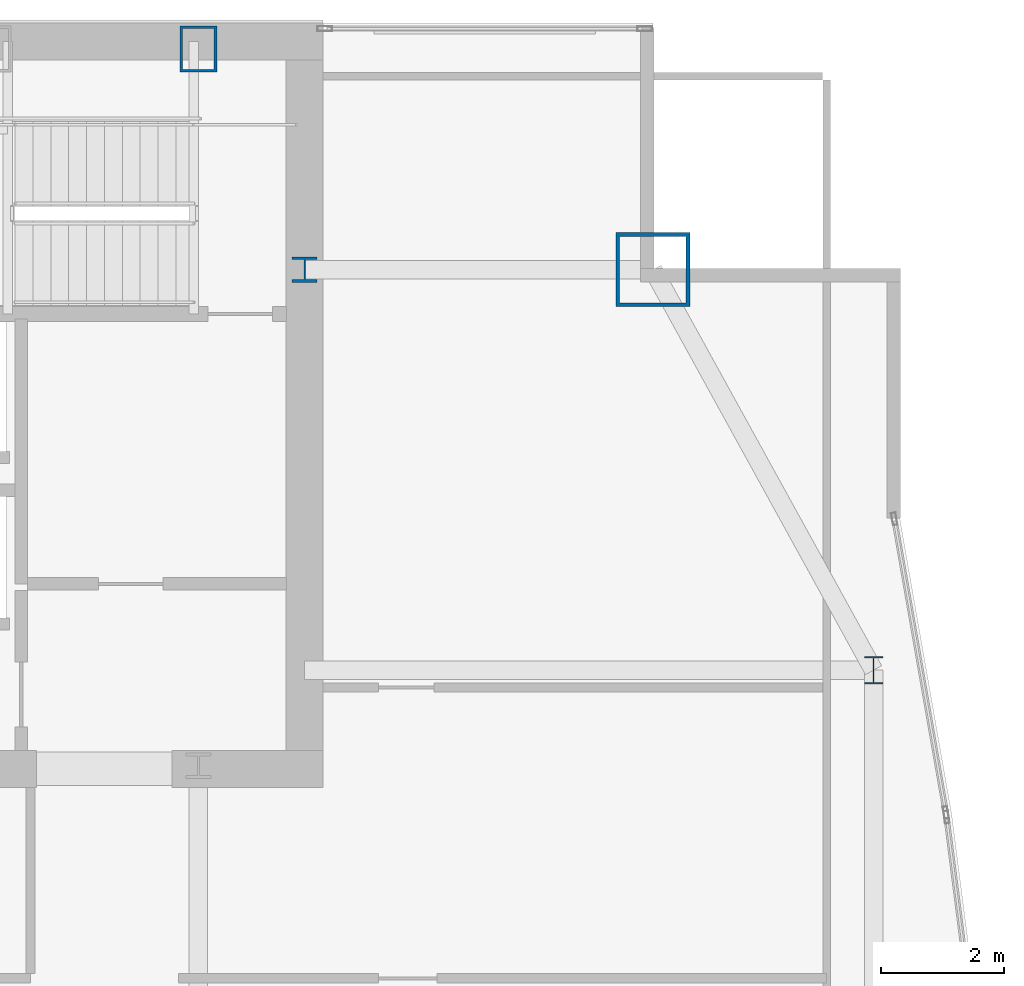
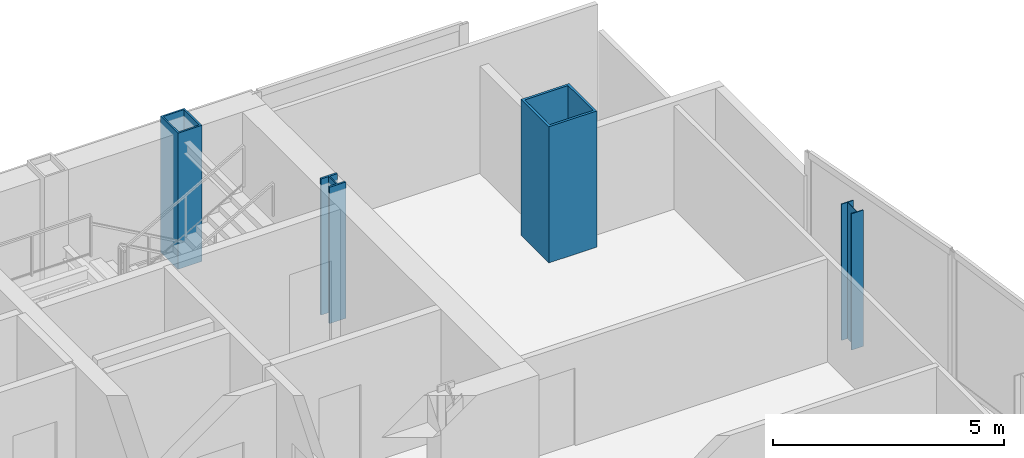
# One storey, part 4 of 30: 4 columns.
"""IFC4 building model written with IfcOpenShell, lengths in metres."""

from ifc_helpers import new_model, si_unit, direction, frame, origin, origin_2d, place, context, subcontext, project, spatial, hollow_rectangle, i_section, extrude, material, material_profile, profile_set, type_object, element, save


model = new_model("IFC4")

# Units and contexts
model_context = context("Model", 3, precision=1e-05, world=origin(), true_north=direction((0.0, 1.0)))
body_context = subcontext(model_context, "Body", "Model", "MODEL_VIEW")
ifc_project = project(units=[si_unit("LENGTHUNIT", "METRE"), si_unit("AREAUNIT", "SQUARE_METRE"), si_unit("VOLUMEUNIT", "CUBIC_METRE"), si_unit("PLANEANGLEUNIT", "RADIAN"), si_unit("MASSUNIT", "GRAM", prefix="KILO")], contexts=[model_context])

# Site, building, storey
site_placement = place(None, origin())
site = spatial("IfcSite", under=ifc_project, at=site_placement, CompositionType="ELEMENT")
building_placement = place(site_placement, origin())
building = spatial("IfcBuilding", under=site, at=building_placement, Name="Khoronbel Lancet Exchange", CompositionType="ELEMENT")
storey_placement = place(building_placement, frame((0.0, 0.0, 203.0)))
storey = spatial("IfcBuildingStorey", under=building, at=storey_placement, Name="L51", CompositionType="ELEMENT", Elevation=203.0)

# Columns
ifc_material_1 = material(Name="Steel S460", Category="steel")
ifc_material_profile_1 = material_profile(ifc_material_1, hollow_rectangle(XDim=0.60009765625, YDim=0.75, WallThickness=0.044921875, at=origin_2d()), Name="BOX 750x600x45")
ifc_profile_set_1 = profile_set([ifc_material_profile_1], Name="Steel S460")
column_type_1 = type_object("IfcColumnType", Name="COL-EC3", PredefinedType="COLUMN", material=ifc_profile_set_1)
column_1_placement = place(storey_placement, frame((54.675048828125, 53.280029296875, 0.0), z_axis=(0.0, 0.0, 1.0), x_axis=(1.0, 0.0, 0.0)))
element("IfcColumn", 1, at=column_1_placement, inside=storey, type_object=column_type_1, Name="Structural column NC-E2 L51", PredefinedType="COLUMN", context=body_context, shape_type="SweptSolid", body=[
    extrude(hollow_rectangle(XDim=0.60009765625, YDim=0.75, WallThickness=0.044921875, at=origin_2d()), origin(), (0.0, 0.0, 1.0), 3.60009765625),
])
ifc_material_2 = material(Name="Steel S355", Category="steel")
ifc_material_profile_2 = material_profile(ifc_material_2, i_section(OverallWidth=0.406005859375, OverallDepth=0.416015625, WebThickness=0.02978515625, FlangeThickness=0.048095703125, at=origin_2d()), Name="HD 400x382")
ifc_profile_set_2 = profile_set([ifc_material_profile_2], Name="Steel S355")
column_type_2 = type_object("IfcColumnType", Name="COL-IC3", PredefinedType="COLUMN", material=ifc_profile_set_2)
column_2_placement = place(storey_placement, frame((56.39990234375, 49.699951171875, 0.0), z_axis=(0.0, 0.0, 1.0), x_axis=(1.0, 0.0, 0.0)))
element("IfcColumn", 2, at=column_2_placement, inside=storey, type_object=column_type_2, Name="Core-flank plumb transfer column CFE L51", PredefinedType="COLUMN", context=body_context, shape_type="SweptSolid", body=[
    extrude(i_section(OverallWidth=0.406005859375, OverallDepth=0.416015625, WebThickness=0.02978515625, FlangeThickness=0.048095703125, at=origin_2d()), origin(), (0.0, 0.0, 1.0), 3.60009765625),
])
ifc_material_profile_3 = material_profile(ifc_material_2, i_section(OverallWidth=0.300048828125, OverallDepth=0.449951171875, WebThickness=0.013916015625, FlangeThickness=0.02587890625, at=origin_2d()), Name="HEB 450")
ifc_profile_set_3 = profile_set([ifc_material_profile_3], Name="Steel S355")
column_type_3 = type_object("IfcColumnType", Name="COL-LC2", PredefinedType="COLUMN", material=ifc_profile_set_3)
column_3_placement = place(storey_placement, frame((65.6298828125, 43.199951171875, 0.0), z_axis=(0.0, 0.0, 1.0), x_axis=(1.0, 0.0, 0.0)))
element("IfcColumn", 3, at=column_3_placement, inside=storey, type_object=column_type_3, Name="Structural column EC-4 L51", PredefinedType="COLUMN", context=body_context, shape_type="SweptSolid", body=[
    extrude(i_section(OverallWidth=0.300048828125, OverallDepth=0.449951171875, WebThickness=0.013916015625, FlangeThickness=0.02587890625, at=origin_2d()), origin(), (0.0, 0.0, 1.0), 3.60009765625),
])
ifc_material_profile_4 = material_profile(ifc_material_1, hollow_rectangle(XDim=1.199951171875, YDim=1.199951171875, WallThickness=0.06005859375, at=origin_2d()), Name="BOX 1200x1200x60")
ifc_profile_set_4 = profile_set([ifc_material_profile_4], Name="Steel S460")
column_type_4 = type_object("IfcColumnType", Name="COL-MC5", PredefinedType="COLUMN", material=ifc_profile_set_4)
column_4_placement = place(storey_placement, frame((62.050048828125, 49.699951171875, 0.0), z_axis=(0.0, 0.0, 1.0), x_axis=(1.0, 0.0, 0.0)))
element("IfcColumn", 4, at=column_4_placement, inside=storey, type_object=column_type_4, Name="Structural column MC-NE L51", PredefinedType="COLUMN", context=body_context, shape_type="SweptSolid", body=[
    extrude(hollow_rectangle(XDim=1.199951171875, YDim=1.199951171875, WallThickness=0.06005859375, at=origin_2d()), origin(), (0.0, 0.0, 1.0), 3.60009765625),
])

save(model, "model.ifc")
